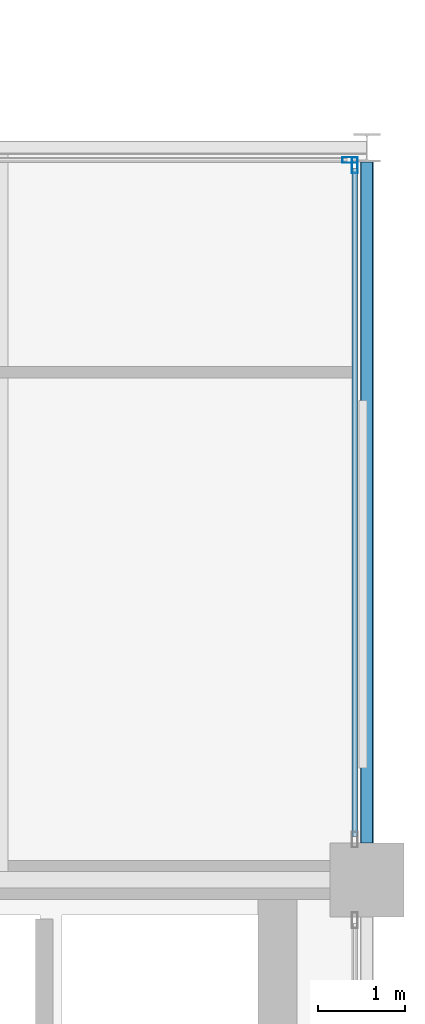
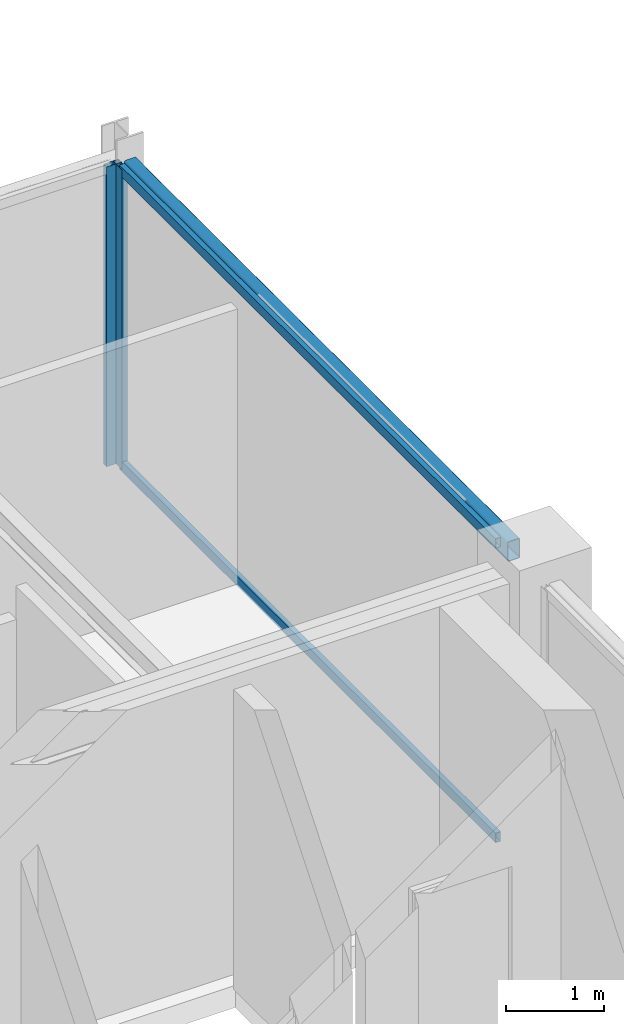
# One storey, part 15 of 24: 4 members, 1 beam, 2 elements without a shape of their own.
"""IFC4 building model written with IfcOpenShell, lengths in metres."""

from ifc_helpers import new_model, si_unit, direction, frame, origin, origin_2d, place, context, subcontext, project, spatial, hollow_rectangle, extrude, material, layer, layer_set, material_profile, profile_set, type_object, element, aggregate, save


model = new_model("IFC4")

# Units and contexts
model_context = context("Model", 3, precision=1e-05, world=origin(), true_north=direction((0.0, 1.0)))
body_context = subcontext(model_context, "Body", "Model", "MODEL_VIEW")
ifc_project = project(units=[si_unit("LENGTHUNIT", "METRE"), si_unit("AREAUNIT", "SQUARE_METRE"), si_unit("VOLUMEUNIT", "CUBIC_METRE"), si_unit("PLANEANGLEUNIT", "RADIAN"), si_unit("MASSUNIT", "GRAM", prefix="KILO")], contexts=[model_context])

# Site, building, storey
site_placement = place(None, origin())
site = spatial("IfcSite", under=ifc_project, at=site_placement, CompositionType="ELEMENT")
building_placement = place(site_placement, origin())
building = spatial("IfcBuilding", under=site, at=building_placement, Name="Nerrivon Quay Data Exchange", CompositionType="ELEMENT")
storey_placement = place(building_placement, frame((0.0, 0.0, 298.199951171875)))
storey = spatial("IfcBuildingStorey", under=building, at=storey_placement, Name="L71", CompositionType="ELEMENT", Elevation=298.199951171875)

# Beam
ifc_material_1 = material(Name="Steel Grade C350L0 (350 MPa)", Category="steel")
ifc_material_profile_1 = material_profile(ifc_material_1, hollow_rectangle(XDim=0.14990234375, YDim=0.25, WallThickness=0.009033203125, InnerFilletRadius=0.013427734375, OuterFilletRadius=0.0224609375, at=origin_2d()), Name="250x150x9.0RHS")
ifc_profile_set_1 = profile_set([ifc_material_profile_1], Name="Steel Grade C350L0 (350 MPa)")
beam_type = type_object("IfcBeamType", Name="BM-SP4-250x150RHS", PredefinedType="SPANDREL", material=ifc_profile_set_1)
beam_placement = place(storey_placement, frame((33.60009765625, 17.22509765625, 3.60009765625), z_axis=(0.0, 1.0, 0.0), x_axis=(-1.0, 0.0, 0.0)))
element("IfcBeam", 1, at=beam_placement, inside=storey, type_object=beam_type, Name="L71 NS Girder X=33.6 (16.8..25.2)", PredefinedType="SPANDREL", context=body_context, shape_type="SweptSolid", body=[
    extrude(hollow_rectangle(XDim=0.14990234375, YDim=0.25, WallThickness=0.009033203125, InnerFilletRadius=0.013427734375, OuterFilletRadius=0.0224609375, at=origin_2d()), origin(), (0.0, 0.0, 1.0), 7.8115234375),
])

# Curtain wall, member
ifc_material_2 = material(Name="Anodised aluminium 6063-T6", Category="aluminium")
ifc_layer = layer(ifc_material_2, 0.195068359375)
ifc_layer_set = layer_set([ifc_layer], Name="Anodised aluminium 6063-T6")
curtain_wall_type = type_object("IfcCurtainWallType", Name="CW-SYS-06", PredefinedType="NOTDEFINED", material=ifc_layer_set)
curtain_wall_1_placement = place(storey_placement, origin())
curtain_wall_1 = element("IfcCurtainWall", 2, at=curtain_wall_1_placement, inside=storey, type_object=curtain_wall_type, Name="L71 Unitised Curtain Wall 21", PredefinedType="NOTDEFINED")
ifc_material_profile_2 = material_profile(ifc_material_2, hollow_rectangle(XDim=0.06494140625, YDim=0.179931640625, WallThickness=0.00341796875, at=origin_2d()), Name="ALU-MULL-180x65")
ifc_profile_set_2 = profile_set([ifc_material_profile_2], Name="Anodised aluminium 6063-T6")
member_type_1 = type_object("IfcMemberType", Name="CWM-180x65", PredefinedType="MULLION", material=ifc_profile_set_2)
member_1_placement = place(storey_placement, frame((33.406982421875, 25.06005859375, 0.0), z_axis=(0.0, 0.0, 1.0), x_axis=(0.0, 1.0, 0.0)))
member_1 = element("IfcMember", 3, at=member_1_placement, type_object=member_type_1, Name="CW06 mullion 2", PredefinedType="MULLION", context=body_context, shape_type="SweptSolid", body=[
    extrude(hollow_rectangle(XDim=0.06494140625, YDim=0.179931640625, WallThickness=0.00341796875, at=origin_2d()), origin(), (0.0, 0.0, 1.0), 3.72509765625),
])
aggregate(curtain_wall_1, [member_1])

# Curtain wall, members
curtain_wall_2_placement = place(storey_placement, origin())
curtain_wall_2 = element("IfcCurtainWall", 4, at=curtain_wall_2_placement, inside=storey, type_object=curtain_wall_type, Name="L71 Unitised Curtain Wall 22", PredefinedType="NOTDEFINED")
member_2_placement = place(storey_placement, frame((33.4599609375, 24.9990234375, 0.0), z_axis=(0.0, 0.0, 1.0), x_axis=(1.0, 0.0, 0.0)))
member_2 = element("IfcMember", 5, at=member_2_placement, type_object=member_type_1, Name="CW06 mullion 1", PredefinedType="MULLION", context=body_context, shape_type="SweptSolid", body=[
    extrude(hollow_rectangle(XDim=0.06494140625, YDim=0.179931640625, WallThickness=0.00341796875, at=origin_2d()), origin(), (0.0, 0.0, 1.0), 3.72509765625),
])
ifc_material_profile_3 = material_profile(ifc_material_2, hollow_rectangle(XDim=0.06005859375, YDim=0.1201171875, WallThickness=0.003173828125, at=origin_2d()), Name="ALU-TRAN-120x60")
ifc_profile_set_3 = profile_set([ifc_material_profile_3], Name="Anodised aluminium 6063-T6")
member_type_2 = type_object("IfcMemberType", Name="CWT-120x60", PredefinedType="USERDEFINED", material=ifc_profile_set_3)
member_3_placement = place(storey_placement, frame((33.4599609375, 24.96142578125, 0.032470703125), z_axis=(0.0, -1.0, 0.0), x_axis=(1.0, 0.0, 0.0)))
member_3 = element("IfcMember", 6, at=member_3_placement, type_object=member_type_2, Name="CW06 transom 1.1", ObjectType="TRANSOM", PredefinedType="USERDEFINED", context=body_context, shape_type="SweptSolid", body=[
    extrude(hollow_rectangle(XDim=0.06005859375, YDim=0.1201171875, WallThickness=0.003173828125, at=origin_2d()), origin(), (0.0, 0.0, 1.0), 7.661376953125),
])
member_4_placement = place(storey_placement, frame((33.4599609375, 24.96142578125, 3.692626953125), z_axis=(0.0, -1.0, 0.0), x_axis=(1.0, 0.0, 0.0)))
member_4 = element("IfcMember", 7, at=member_4_placement, type_object=member_type_2, Name="CW06 transom 1.2", ObjectType="TRANSOM", PredefinedType="USERDEFINED", context=body_context, shape_type="SweptSolid", body=[
    extrude(hollow_rectangle(XDim=0.06005859375, YDim=0.1201171875, WallThickness=0.003173828125, at=origin_2d()), origin(), (0.0, 0.0, 1.0), 7.661376953125),
])
aggregate(curtain_wall_2, [member_2, member_3, member_4])

save(model, "model.ifc")
